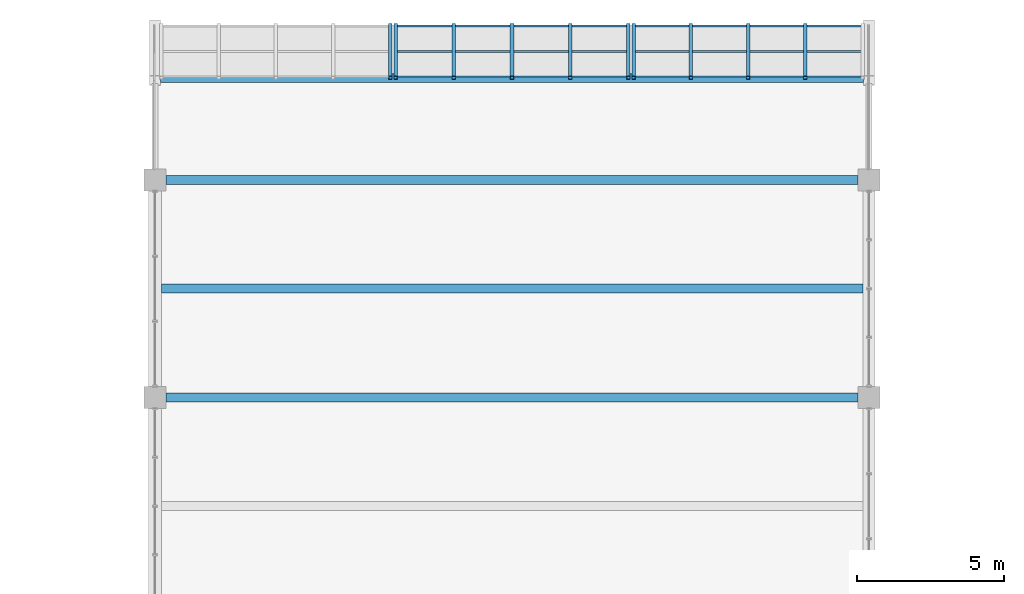
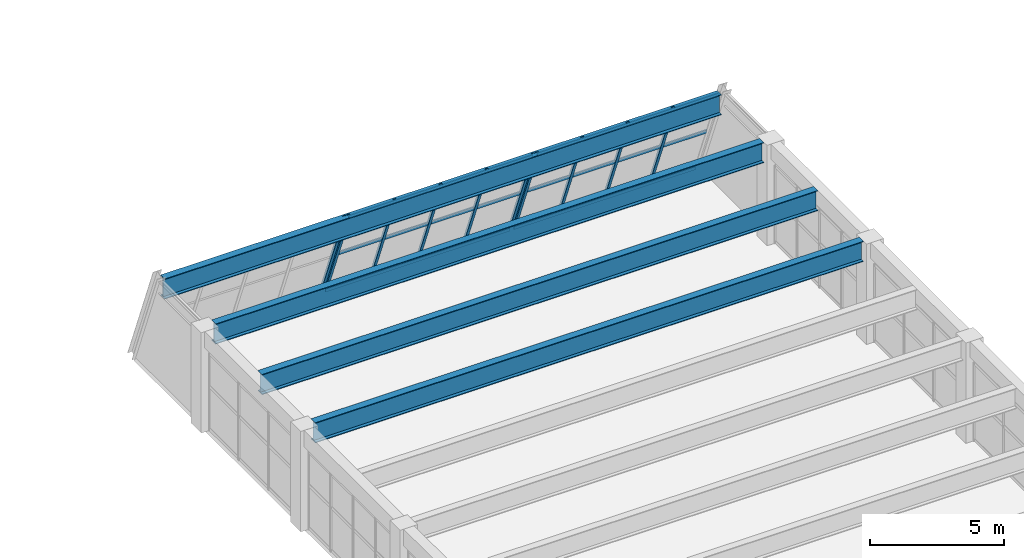
# One storey, part 103 of 161: 16 members, 4 beams, 3 elements without a shape of their own.
"""IFC4 building model written with IfcOpenShell, lengths in metres."""

from ifc_helpers import new_model, si_unit, direction, frame, origin, origin_2d, place, context, subcontext, project, spatial, hollow_rectangle, i_section, extrude, material, material_profile, profile_set, type_object, element, aggregate, save


model = new_model("IFC4")

# Units and contexts
model_context = context("Model", 3, precision=1e-05, world=origin(), true_north=direction((0.0, 1.0)))
body_context = subcontext(model_context, "Body", "Model", "MODEL_VIEW")
ifc_project = project(units=[si_unit("LENGTHUNIT", "METRE"), si_unit("AREAUNIT", "SQUARE_METRE"), si_unit("VOLUMEUNIT", "CUBIC_METRE"), si_unit("PLANEANGLEUNIT", "RADIAN"), si_unit("MASSUNIT", "GRAM", prefix="KILO")], contexts=[model_context])

# Site, building, storey
site_placement = place(None, origin())
site = spatial("IfcSite", under=ifc_project, at=site_placement, CompositionType="ELEMENT")
building_placement = place(site_placement, origin())
building = spatial("IfcBuilding", under=site, at=building_placement, Name="Cimatlan Art Gallery", CompositionType="ELEMENT")
storey_placement = place(building_placement, frame((0.0, 0.0, 5.39990234375)))
storey = spatial("IfcBuildingStorey", under=building, at=storey_placement, Name="L01", CompositionType="ELEMENT", Elevation=5.39990234375)

# Beams
ifc_material_1 = material(Name="Steel ASTM A992 Grade 50", Category="steel")
ifc_material_profile_1 = material_profile(ifc_material_1, i_section(OverallWidth=0.306884765625, OverallDepth=0.923095703125, WebThickness=0.018310546875, FlangeThickness=0.030029296875, at=origin_2d()), Name="W36X182")
ifc_profile_set_1 = profile_set([ifc_material_profile_1], Name="Steel ASTM A992 Grade 50")
beam_type = type_object("IfcBeamType", Name="BM-SPAN24-L02", PredefinedType="BEAM", material=ifc_profile_set_1)
beam_1_placement = place(storey_placement, frame((75.090087890625, 108.776611328125, 4.0986328125), z_axis=(1.0, 0.0, 0.0), x_axis=(0.0, 1.0, 0.0)))
element("IfcBeam", 1, at=beam_1_placement, inside=storey, type_object=beam_type, Name="BM-PRW-X-L01-B3", PredefinedType="BEAM", context=body_context, shape_type="SweptSolid", body=[
    extrude(i_section(OverallWidth=0.306884765625, OverallDepth=0.923095703125, WebThickness=0.018310546875, FlangeThickness=0.030029296875, at=origin_2d()), origin(), (0.0, 0.0, 1.0), 23.919921875),
])
beam_2_placement = place(storey_placement, frame((75.27490234375, 97.89990234375, 4.0986328125), z_axis=(1.0, 0.0, 0.0), x_axis=(0.0, 1.0, 0.0)))
element("IfcBeam", 2, at=beam_2_placement, inside=storey, type_object=beam_type, Name="BM-SP24-L01-13", PredefinedType="BEAM", context=body_context, shape_type="SweptSolid", body=[
    extrude(i_section(OverallWidth=0.306884765625, OverallDepth=0.923095703125, WebThickness=0.018310546875, FlangeThickness=0.030029296875, at=origin_2d()), origin(), (0.0, 0.0, 1.0), 23.550048828125),
])
beam_3_placement = place(storey_placement, frame((75.125, 101.60009765625, 4.0986328125), z_axis=(1.0, 0.0, 0.0), x_axis=(0.0, 1.0, 0.0)))
element("IfcBeam", 3, at=beam_3_placement, inside=storey, type_object=beam_type, Name="BM-SP24M-L01-13", PredefinedType="BEAM", context=body_context, shape_type="SweptSolid", body=[
    extrude(i_section(OverallWidth=0.306884765625, OverallDepth=0.923095703125, WebThickness=0.018310546875, FlangeThickness=0.030029296875, at=origin_2d()), origin(), (0.0, 0.0, 1.0), 23.875),
])
beam_4_placement = place(storey_placement, frame((75.27490234375, 105.300048828125, 4.0986328125), z_axis=(1.0, 0.0, 0.0), x_axis=(0.0, 1.0, 0.0)))
element("IfcBeam", 4, at=beam_4_placement, inside=storey, type_object=beam_type, Name="BM-SP24-L01-14", PredefinedType="BEAM", context=body_context, shape_type="SweptSolid", body=[
    extrude(i_section(OverallWidth=0.306884765625, OverallDepth=0.923095703125, WebThickness=0.018310546875, FlangeThickness=0.030029296875, at=origin_2d()), origin(), (0.0, 0.0, 1.0), 23.550048828125),
])

# Curtain wall, member
ifc_material_2 = material(Name="Raked steel-and-bronze lancet curtain wall", Category="steel")
curtain_wall_type_1 = type_object("IfcCurtainWallType", Name="CW-RAK-07790X04901-B4", PredefinedType="NOTDEFINED", material=ifc_material_2)
curtain_wall_1_placement = place(storey_placement, origin())
curtain_wall_1 = element("IfcCurtainWall", 5, at=curtain_wall_1_placement, inside=storey, type_object=curtain_wall_type_1, Name="CW-PROW-L01-B3-9", PredefinedType="NOTDEFINED")
ifc_material_3 = material(Name="Steel ASTM A500 Grade C", Category="steel")
ifc_material_profile_2 = material_profile(ifc_material_3, hollow_rectangle(XDim=0.1201171875, YDim=0.1201171875, WallThickness=0.00634765625, at=origin_2d()), Name="HSS120X120X6")
ifc_profile_set_2 = profile_set([ifc_material_profile_2], Name="Steel ASTM A500 Grade C")
member_type_1 = type_object("IfcMemberType", Name="CW-MUL-RAK", PredefinedType="MULLION", material=ifc_profile_set_2)
member_1_placement = place(storey_placement, frame((82.909912109375, 110.572998046875, 0.0), z_axis=(0.0, -0.366524518382, 0.930408392817), x_axis=(1.0, 0.0, 0.0)))
member_1 = element("IfcMember", 6, at=member_1_placement, type_object=member_type_1, Name="CW-PROW-L01-B3-9-M5", PredefinedType="MULLION", context=body_context, shape_type="SweptSolid", body=[
    extrude(hollow_rectangle(XDim=0.1201171875, YDim=0.1201171875, WallThickness=0.00634765625, at=origin_2d()), origin(), (0.0, 0.0, 1.0), 4.901123046875),
])
aggregate(curtain_wall_1, [member_1])

# Curtain wall, members
curtain_wall_type_2 = type_object("IfcCurtainWallType", Name="CW-RAK-07920X04901-B4", PredefinedType="NOTDEFINED", material=ifc_material_2)
curtain_wall_2_placement = place(storey_placement, origin())
curtain_wall_2 = element("IfcCurtainWall", 7, at=curtain_wall_2_placement, inside=storey, type_object=curtain_wall_type_2, Name="CW-PROW-L01-B3-10", PredefinedType="NOTDEFINED")
member_2_placement = place(storey_placement, frame((83.090087890625, 110.572998046875, 0.0), z_axis=(0.0, -0.366524518382, 0.930408392817), x_axis=(1.0, 0.0, 0.0)))
member_2 = element("IfcMember", 8, at=member_2_placement, type_object=member_type_1, Name="CW-PROW-L01-B3-10-M1", PredefinedType="MULLION", context=body_context, shape_type="SweptSolid", body=[
    extrude(hollow_rectangle(XDim=0.1201171875, YDim=0.1201171875, WallThickness=0.00634765625, at=origin_2d()), origin(), (0.0, 0.0, 1.0), 4.901123046875),
])
member_3_placement = place(storey_placement, frame((85.070068359375, 110.572998046875, 0.0), z_axis=(0.0, -0.366524518382, 0.930408392817), x_axis=(1.0, 0.0, 0.0)))
member_3 = element("IfcMember", 9, at=member_3_placement, type_object=member_type_1, Name="CW-PROW-L01-B3-10-M2", PredefinedType="MULLION", context=body_context, shape_type="SweptSolid", body=[
    extrude(hollow_rectangle(XDim=0.1201171875, YDim=0.1201171875, WallThickness=0.00634765625, at=origin_2d()), origin(), (0.0, 0.0, 1.0), 4.901123046875),
])
member_4_placement = place(storey_placement, frame((87.050048828125, 110.572998046875, 0.0), z_axis=(0.0, -0.366524518382, 0.930408392817), x_axis=(1.0, 0.0, 0.0)))
member_4 = element("IfcMember", 10, at=member_4_placement, type_object=member_type_1, Name="CW-PROW-L01-B3-10-M3", PredefinedType="MULLION", context=body_context, shape_type="SweptSolid", body=[
    extrude(hollow_rectangle(XDim=0.1201171875, YDim=0.1201171875, WallThickness=0.00634765625, at=origin_2d()), origin(), (0.0, 0.0, 1.0), 4.901123046875),
])
member_5_placement = place(storey_placement, frame((89.030029296875, 110.572998046875, 0.0), z_axis=(0.0, -0.366524518382, 0.930408392817), x_axis=(1.0, 0.0, 0.0)))
member_5 = element("IfcMember", 11, at=member_5_placement, type_object=member_type_1, Name="CW-PROW-L01-B3-10-M4", PredefinedType="MULLION", context=body_context, shape_type="SweptSolid", body=[
    extrude(hollow_rectangle(XDim=0.1201171875, YDim=0.1201171875, WallThickness=0.00634765625, at=origin_2d()), origin(), (0.0, 0.0, 1.0), 4.901123046875),
])
member_6_placement = place(storey_placement, frame((91.010009765625, 110.572998046875, 0.0), z_axis=(0.0, -0.366524518382, 0.930408392817), x_axis=(1.0, 0.0, 0.0)))
member_6 = element("IfcMember", 12, at=member_6_placement, type_object=member_type_1, Name="CW-PROW-L01-B3-10-M5", PredefinedType="MULLION", context=body_context, shape_type="SweptSolid", body=[
    extrude(hollow_rectangle(XDim=0.1201171875, YDim=0.1201171875, WallThickness=0.00634765625, at=origin_2d()), origin(), (0.0, 0.0, 1.0), 4.901123046875),
])

curtain_wall_3_placement = place(storey_placement, origin())
curtain_wall_3 = element("IfcCurtainWall", 13, at=curtain_wall_3_placement, inside=storey, type_object=curtain_wall_type_1, Name="CW-PROW-L01-B3-11", PredefinedType="NOTDEFINED")
member_7_placement = place(storey_placement, frame((91.18994140625, 110.572998046875, 0.0), z_axis=(0.0, -0.366524518382, 0.930408392817), x_axis=(1.0, 0.0, 0.0)))
member_7 = element("IfcMember", 14, at=member_7_placement, type_object=member_type_1, Name="CW-PROW-L01-B3-11-M1", PredefinedType="MULLION", context=body_context, shape_type="SweptSolid", body=[
    extrude(hollow_rectangle(XDim=0.1201171875, YDim=0.1201171875, WallThickness=0.00634765625, at=origin_2d()), origin(), (0.0, 0.0, 1.0), 4.901123046875),
])
member_8_placement = place(storey_placement, frame((93.137451171875, 110.572998046875, 0.0), z_axis=(0.0, -0.366524518382, 0.930408392817), x_axis=(1.0, 0.0, 0.0)))
member_8 = element("IfcMember", 15, at=member_8_placement, type_object=member_type_1, Name="CW-PROW-L01-B3-11-M2", PredefinedType="MULLION", context=body_context, shape_type="SweptSolid", body=[
    extrude(hollow_rectangle(XDim=0.1201171875, YDim=0.1201171875, WallThickness=0.00634765625, at=origin_2d()), origin(), (0.0, 0.0, 1.0), 4.901123046875),
])
member_9_placement = place(storey_placement, frame((95.0849609375, 110.572998046875, 0.0), z_axis=(0.0, -0.366524518382, 0.930408392817), x_axis=(1.0, 0.0, 0.0)))
member_9 = element("IfcMember", 16, at=member_9_placement, type_object=member_type_1, Name="CW-PROW-L01-B3-11-M3", PredefinedType="MULLION", context=body_context, shape_type="SweptSolid", body=[
    extrude(hollow_rectangle(XDim=0.1201171875, YDim=0.1201171875, WallThickness=0.00634765625, at=origin_2d()), origin(), (0.0, 0.0, 1.0), 4.901123046875),
])
member_10_placement = place(storey_placement, frame((97.032470703125, 110.572998046875, 0.0), z_axis=(0.0, -0.366524518382, 0.930408392817), x_axis=(1.0, 0.0, 0.0)))
member_10 = element("IfcMember", 17, at=member_10_placement, type_object=member_type_1, Name="CW-PROW-L01-B3-11-M4", PredefinedType="MULLION", context=body_context, shape_type="SweptSolid", body=[
    extrude(hollow_rectangle(XDim=0.1201171875, YDim=0.1201171875, WallThickness=0.00634765625, at=origin_2d()), origin(), (0.0, 0.0, 1.0), 4.901123046875),
])

# Member
ifc_material_4 = material(Name="Anodised bronze aluminium 6063-T6", Category="aluminium")
ifc_material_profile_3 = material_profile(ifc_material_4, hollow_rectangle(XDim=0.06494140625, YDim=0.139892578125, WallThickness=0.00390625, at=origin_2d()), Name="ALU65X140X4")
ifc_profile_set_3 = profile_set([ifc_material_profile_3], Name="Anodised bronze aluminium 6063-T6")
member_type_2 = type_object("IfcMemberType", Name="CW-TRN-140", PredefinedType="USERDEFINED", material=ifc_profile_set_3)
member_11_placement = place(storey_placement, frame((83.090087890625, 110.537109375, 0.09130859375), z_axis=(1.0, 0.0, 0.0), x_axis=(0.0, 1.0, 0.0)))
member_11 = element("IfcMember", 18, at=member_11_placement, type_object=member_type_2, Name="CW-PROW-L01-B3-10-T1", ObjectType="TRANSOM", PredefinedType="USERDEFINED", context=body_context, shape_type="SweptSolid", body=[
    extrude(hollow_rectangle(XDim=0.06494140625, YDim=0.139892578125, WallThickness=0.00390625, at=origin_2d()), origin(), (0.0, 0.0, 1.0), 7.919921875),
])

member_12_placement = place(storey_placement, frame((83.090087890625, 109.6748046875, 2.280029296875), z_axis=(1.0, 0.0, 0.0), x_axis=(0.0, 1.0, 0.0)))
member_12 = element("IfcMember", 19, at=member_12_placement, type_object=member_type_2, Name="CW-PROW-L01-B3-10-T2", ObjectType="TRANSOM", PredefinedType="USERDEFINED", context=body_context, shape_type="SweptSolid", body=[
    extrude(hollow_rectangle(XDim=0.06494140625, YDim=0.139892578125, WallThickness=0.00390625, at=origin_2d()), origin(), (0.0, 0.0, 1.0), 7.919921875),
])

member_13_placement = place(storey_placement, frame((83.090087890625, 108.8125, 4.468994140625), z_axis=(1.0, 0.0, 0.0), x_axis=(0.0, 1.0, 0.0)))
member_13 = element("IfcMember", 20, at=member_13_placement, type_object=member_type_2, Name="CW-PROW-L01-B3-10-T3", ObjectType="TRANSOM", PredefinedType="USERDEFINED", context=body_context, shape_type="SweptSolid", body=[
    extrude(hollow_rectangle(XDim=0.06494140625, YDim=0.139892578125, WallThickness=0.00390625, at=origin_2d()), origin(), (0.0, 0.0, 1.0), 7.919921875),
])

aggregate(curtain_wall_2, [member_2, member_3, member_4, member_5, member_6, member_11, member_12, member_13])

member_14_placement = place(storey_placement, frame((91.18994140625, 110.537109375, 0.09130859375), z_axis=(1.0, 0.0, 0.0), x_axis=(0.0, 1.0, 0.0)))
member_14 = element("IfcMember", 21, at=member_14_placement, type_object=member_type_2, Name="CW-PROW-L01-B3-11-T1", ObjectType="TRANSOM", PredefinedType="USERDEFINED", context=body_context, shape_type="SweptSolid", body=[
    extrude(hollow_rectangle(XDim=0.06494140625, YDim=0.139892578125, WallThickness=0.00390625, at=origin_2d()), origin(), (0.0, 0.0, 1.0), 7.7900390625),
])

member_15_placement = place(storey_placement, frame((91.18994140625, 109.6748046875, 2.280029296875), z_axis=(1.0, 0.0, 0.0), x_axis=(0.0, 1.0, 0.0)))
member_15 = element("IfcMember", 22, at=member_15_placement, type_object=member_type_2, Name="CW-PROW-L01-B3-11-T2", ObjectType="TRANSOM", PredefinedType="USERDEFINED", context=body_context, shape_type="SweptSolid", body=[
    extrude(hollow_rectangle(XDim=0.06494140625, YDim=0.139892578125, WallThickness=0.00390625, at=origin_2d()), origin(), (0.0, 0.0, 1.0), 7.7900390625),
])

member_16_placement = place(storey_placement, frame((91.18994140625, 108.8125, 4.468994140625), z_axis=(1.0, 0.0, 0.0), x_axis=(0.0, 1.0, 0.0)))
member_16 = element("IfcMember", 23, at=member_16_placement, type_object=member_type_2, Name="CW-PROW-L01-B3-11-T3", ObjectType="TRANSOM", PredefinedType="USERDEFINED", context=body_context, shape_type="SweptSolid", body=[
    extrude(hollow_rectangle(XDim=0.06494140625, YDim=0.139892578125, WallThickness=0.00390625, at=origin_2d()), origin(), (0.0, 0.0, 1.0), 7.7900390625),
])

aggregate(curtain_wall_3, [member_7, member_8, member_9, member_10, member_14, member_15, member_16])

save(model, "model.ifc")
